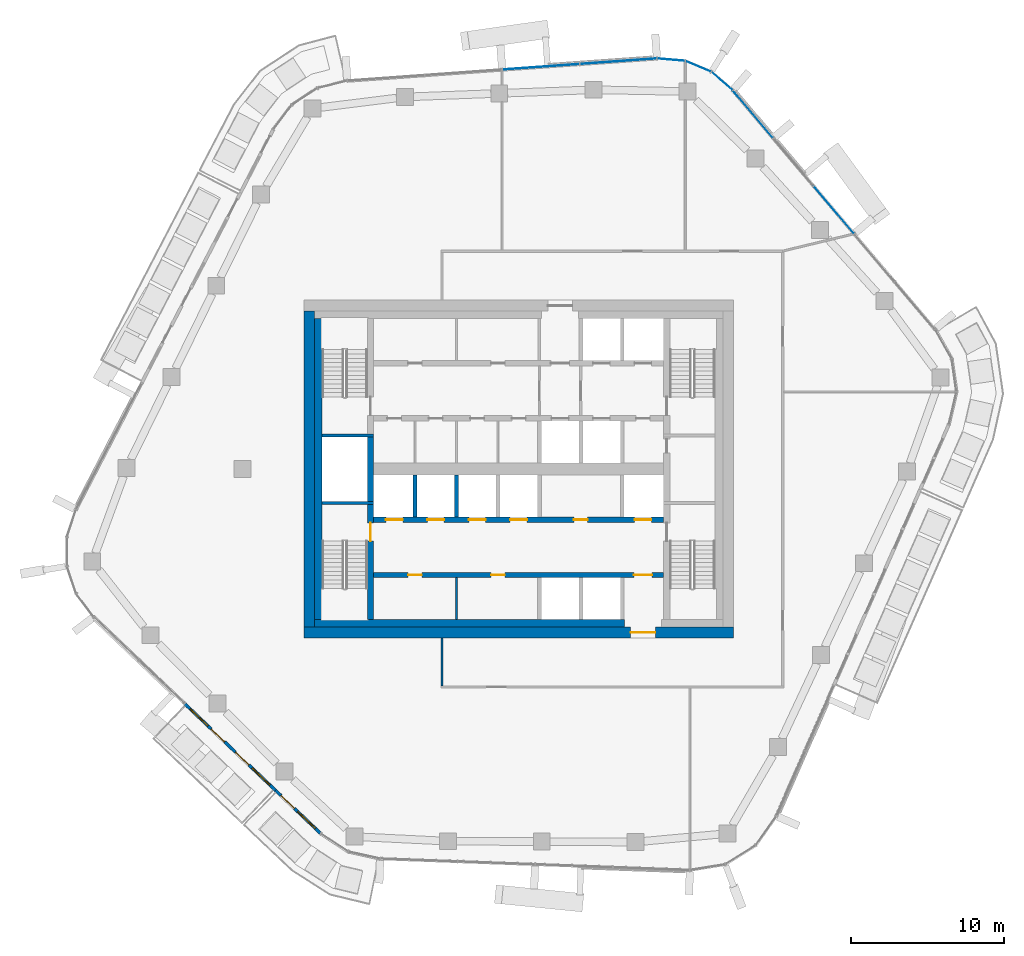
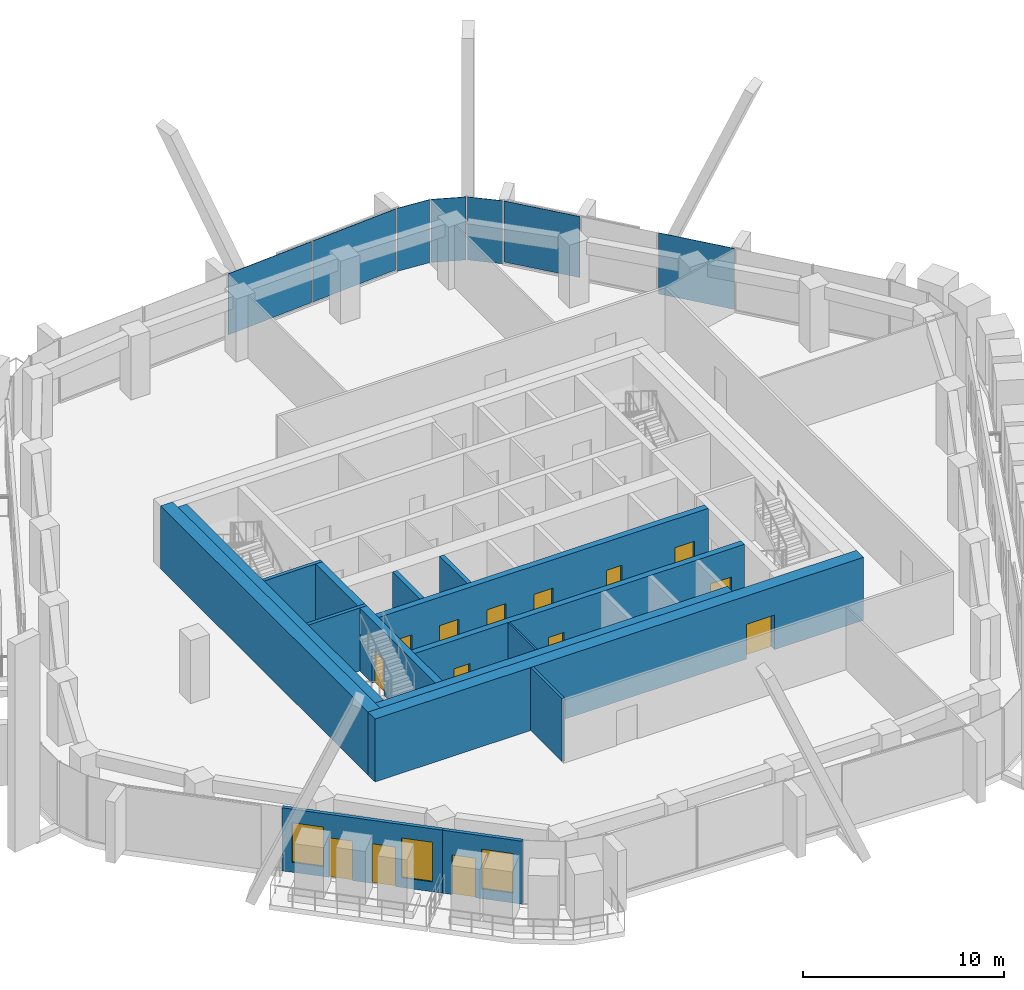
# One storey, part 10 of 20: 16 walls, 14 doors, 7 plates, 3 windows, 17 openings, 3 elements without a shape of their own.
"""IFC4 building model written with IfcOpenShell, lengths in metres."""

from ifc_helpers import new_model, si_unit, direction, frame, frame_2d, origin, origin_2d, place, context, subcontext, project, spatial, rectangle, extrude, material, layer, layer_set, type_object, element, fill, aggregate, save


model = new_model("IFC4")

# Units and contexts
model_context = context("Model", 3, precision=1e-05, world=origin(), true_north=direction((0.0, 1.0)))
body_context = subcontext(model_context, "Body", "Model", "MODEL_VIEW")
ifc_project = project(units=[si_unit("LENGTHUNIT", "METRE"), si_unit("AREAUNIT", "SQUARE_METRE"), si_unit("VOLUMEUNIT", "CUBIC_METRE"), si_unit("PLANEANGLEUNIT", "RADIAN"), si_unit("MASSUNIT", "GRAM", prefix="KILO")], contexts=[model_context])

# Site, building, storey
site_placement = place(None, origin())
site = spatial("IfcSite", under=ifc_project, at=site_placement, CompositionType="ELEMENT")
building_placement = place(site_placement, origin())
building = spatial("IfcBuilding", under=site, at=building_placement, Name="Dongbaek Canopy Tower", CompositionType="ELEMENT")
storey_placement = place(building_placement, frame((0.0, 0.0, 266.39990234375)))
storey = spatial("IfcBuildingStorey", under=building, at=storey_placement, Name="L56", CompositionType="ELEMENT", Elevation=266.39990234375)

# Curtain wall, plates
ifc_material_1 = material(Name="Aluminium 6063-T6 pale anodised", Category="aluminium")
ifc_layer_1 = layer(ifc_material_1, 0.199951171875)
ifc_layer_set_1 = layer_set([ifc_layer_1], Name="CW-1 unitised tower curtain wall")
curtain_wall_type = type_object("IfcCurtainWallType", Name="CW-1 unitised tower curtain wall", PredefinedType="NOTDEFINED", material=ifc_layer_set_1)
curtain_wall_1_placement = place(storey_placement, origin())
curtain_wall_1 = element("IfcCurtainWall", 1, at=curtain_wall_1_placement, inside=storey, type_object=curtain_wall_type, Name="CW-1 curtain wall F0.1", PredefinedType="NOTDEFINED")
ifc_material_2 = material(Name="Clear laminated glass", Category="glass")
ifc_layer_2 = layer(ifc_material_2, 0.028076171875)
ifc_layer_set_2 = layer_set([ifc_layer_2], Name="CW-1 glazed panel 28")
plate_type = type_object("IfcPlateType", Name="CW-1 glazed panel 28", PredefinedType="CURTAIN_PANEL", material=ifc_layer_set_2)
plate_1_placement = place(storey_placement, frame((20.539306640625, 16.8876953125, 0.1201171875), z_axis=(0.0, 0.0, 1.0), x_axis=(-0.646055122273, 0.763290756517, 0.0)))
plate_1 = element("IfcPlate", 2, at=plate_1_placement, type_object=plate_type, Name="CW-1 panel F0.1.3.1", PredefinedType="CURTAIN_PANEL", context=body_context, shape_type="SweptSolid", body=[
    extrude(rectangle(XDim=3.99853515625, YDim=0.028076171875, at=origin_2d()), origin(), (0.0, 0.0, 1.0), 3.699951171875),
])
plate_2_placement = place(storey_placement, frame((15.2666015625, 23.1171875, 0.1201171875), z_axis=(0.0, 0.0, 1.0), x_axis=(-0.646055122273, 0.763290756517, 0.0)))
plate_2 = element("IfcPlate", 3, at=plate_2_placement, type_object=plate_type, Name="CW-1 panel F0.1.5.1", PredefinedType="CURTAIN_PANEL", context=body_context, shape_type="SweptSolid", body=[
    extrude(rectangle(XDim=3.99072265625, YDim=0.028076171875, at=origin_2d()), origin(), (0.0, 0.0, 1.0), 3.699951171875),
])
aggregate(curtain_wall_1, [plate_1, plate_2])

curtain_wall_2_placement = place(storey_placement, origin())
curtain_wall_2 = element("IfcCurtainWall", 4, at=curtain_wall_2_placement, inside=storey, type_object=curtain_wall_type, Name="CW-1 curtain wall K1.1", PredefinedType="NOTDEFINED")
plate_3_placement = place(storey_placement, frame((13.25048828125, 25.276123046875, 0.0), z_axis=(0.0, 0.0, 1.0), x_axis=(-0.757257908115, 0.653115962595, 0.0)))
plate_3 = element("IfcPlate", 5, at=plate_3_placement, type_object=plate_type, Name="CW-1 panel K1.1.1.1", PredefinedType="CURTAIN_PANEL", context=body_context, shape_type="SweptSolid", body=[
    extrude(rectangle(XDim=1.76513671875, YDim=0.028076171875, at=origin_2d()), origin(), (0.0, 0.0, 1.0), 3.820068359375),
])
plate_4_placement = place(storey_placement, frame((11.70166015625, 26.23681640625, 0.0), z_axis=(0.0, 0.0, 1.0), x_axis=(-0.921724437887, 0.387845408122, 0.0)))
plate_4 = element("IfcPlate", 6, at=plate_4_placement, type_object=plate_type, Name="CW-1 panel K1.1.2.1", PredefinedType="CURTAIN_PANEL", context=body_context, shape_type="SweptSolid", body=[
    extrude(rectangle(XDim=1.757080078125, YDim=0.028076171875, at=origin_2d()), origin(), (0.0, 0.0, 1.0), 3.820068359375),
])
plate_5_placement = place(storey_placement, frame((9.93212890625, 26.67236328125, 0.0), z_axis=(0.0, 0.0, 1.0), x_axis=(-0.996398686908, 0.084791843518, 0.0)))
plate_5 = element("IfcPlate", 7, at=plate_5_placement, type_object=plate_type, Name="CW-1 panel K1.1.3.1", PredefinedType="CURTAIN_PANEL", context=body_context, shape_type="SweptSolid", body=[
    extrude(rectangle(XDim=1.76513671875, YDim=0.028076171875, at=origin_2d()), origin(), (0.0, 0.0, 1.0), 3.820068359375),
])
aggregate(curtain_wall_2, [plate_3, plate_4, plate_5])

curtain_wall_3_placement = place(storey_placement, origin())
curtain_wall_3 = element("IfcCurtainWall", 8, at=curtain_wall_3_placement, inside=storey, type_object=curtain_wall_type, Name="CW-1 curtain wall F1.1", PredefinedType="NOTDEFINED")
plate_6_placement = place(storey_placement, frame((6.4912109375, 26.569580078125, 0.1201171875), z_axis=(0.0, 0.0, 1.0), x_axis=(-0.997423073198, -0.07174408026, 0.0)))
plate_6 = element("IfcPlate", 9, at=plate_6_placement, type_object=plate_type, Name="CW-1 panel F1.1.1.1", PredefinedType="CURTAIN_PANEL", context=body_context, shape_type="SweptSolid", body=[
    extrude(rectangle(XDim=4.968505859375, YDim=0.028076171875, at=origin_2d()), origin(), (0.0, 0.0, 1.0), 3.699951171875),
])
plate_7_placement = place(storey_placement, frame((1.44775390625, 26.206787109375, 0.1201171875), z_axis=(0.0, 0.0, 1.0), x_axis=(-0.997423073198, -0.07174408026, 0.0)))
plate_7 = element("IfcPlate", 10, at=plate_7_placement, type_object=plate_type, Name="CW-1 panel F1.1.2.1", PredefinedType="CURTAIN_PANEL", context=body_context, shape_type="SweptSolid", body=[
    extrude(rectangle(XDim=4.976318359375, YDim=0.028076171875, at=origin_2d()), origin(), (0.0, 0.0, 1.0), 3.699951171875),
])
aggregate(curtain_wall_3, [plate_6, plate_7])

# Wall, openings, doors
ifc_material_3 = material(Name="Concrete C60/75", Category="concrete")
ifc_layer_3 = layer(ifc_material_3, 0.35009765625)
ifc_layer_set_3 = layer_set([ifc_layer_3], Name="Core lobby wall 350 Concrete C60/75")
wall_type_1 = type_object("IfcWallType", Name="Core lobby wall 350 Concrete C60/75", PredefinedType="SHEAR", material=ifc_layer_set_3)
wall_1_placement = place(storey_placement, frame((-9.449951171875, -3.300048828125, 0.0), z_axis=(0.0, 0.0, 1.0), x_axis=(1.0, 0.0, 0.0)))
wall_1 = element("IfcWall", 11, at=wall_1_placement, inside=storey, type_object=wall_type_1, Name="Core wall", PredefinedType="SHEAR", context=body_context, shape_type="SweptSolid", body=[
    extrude(rectangle(XDim=18.89990234375, YDim=0.35009765625, at=frame_2d((9.449951171875, 0.0))), origin(), (0.0, 0.0, 1.0), 3.820068359375),
])
opening_1_placement = place(wall_1_placement, frame((0.800048828125, 0.0, 0.0)))
opening_1 = element("IfcOpeningElement", 12, at=opening_1_placement, cuts=wall_1, Name="Opening L56-D014", PredefinedType="OPENING", context=body_context, shape_type="SweptSolid", body=[
    extrude(rectangle(XDim=1.10009765625, YDim=2.10009765625, at=frame_2d((0.550048828125, 1.050048828125))), frame((0.0, 0.18505859375, 0.0), z_axis=(0.0, -1.0, 0.0), x_axis=(1.0, 0.0, 0.0)), (0.0, 0.0, 1.0), 0.3701171875),
])
opening_2_placement = place(wall_1_placement, frame((3.5, 0.0, 0.0)))
opening_2 = element("IfcOpeningElement", 13, at=opening_2_placement, cuts=wall_1, Name="Opening L56-D015", PredefinedType="OPENING", context=body_context, shape_type="SweptSolid", body=[
    extrude(rectangle(XDim=1.10009765625, YDim=2.10009765625, at=frame_2d((0.550048828125, 1.050048828125))), frame((0.0, 0.18505859375, 0.0), z_axis=(0.0, -1.0, 0.0), x_axis=(1.0, 0.0, 0.0)), (0.0, 0.0, 1.0), 0.3701171875),
])
opening_3_placement = place(wall_1_placement, frame((6.199951171875, 0.0, 0.0)))
opening_3 = element("IfcOpeningElement", 14, at=opening_3_placement, cuts=wall_1, Name="Opening L56-D016", PredefinedType="OPENING", context=body_context, shape_type="SweptSolid", body=[
    extrude(rectangle(XDim=1.10009765625, YDim=2.10009765625, at=frame_2d((0.550048828125, 1.050048828125))), frame((0.0, 0.18505859375, 0.0), z_axis=(0.0, -1.0, 0.0), x_axis=(1.0, 0.0, 0.0)), (0.0, 0.0, 1.0), 0.3701171875),
])
opening_4_placement = place(wall_1_placement, frame((8.89990234375, 0.0, 0.0)))
opening_4 = element("IfcOpeningElement", 15, at=opening_4_placement, cuts=wall_1, Name="Opening L56-D017", PredefinedType="OPENING", context=body_context, shape_type="SweptSolid", body=[
    extrude(rectangle(XDim=1.10009765625, YDim=2.10009765625, at=frame_2d((0.550048828125, 1.050048828125))), frame((0.0, 0.18505859375, 0.0), z_axis=(0.0, -1.0, 0.0), x_axis=(1.0, 0.0, 0.0)), (0.0, 0.0, 1.0), 0.3701171875),
])
opening_5_placement = place(wall_1_placement, frame((17.0, 0.0, 0.0)))
opening_5 = element("IfcOpeningElement", 16, at=opening_5_placement, cuts=wall_1, Name="Opening L56-D018", PredefinedType="OPENING", context=body_context, shape_type="SweptSolid", body=[
    extrude(rectangle(XDim=1.10009765625, YDim=2.10009765625, at=frame_2d((0.550048828125, 1.050048828125))), frame((0.0, 0.18505859375, 0.0), z_axis=(0.0, -1.0, 0.0), x_axis=(1.0, 0.0, 0.0)), (0.0, 0.0, 1.0), 0.3701171875),
])
opening_6_placement = place(wall_1_placement, frame((13.050048828125, 0.0, 0.0)))
opening_6 = element("IfcOpeningElement", 17, at=opening_6_placement, cuts=wall_1, Name="Opening L56-D027", PredefinedType="OPENING", context=body_context, shape_type="SweptSolid", body=[
    extrude(rectangle(XDim=0.89990234375, YDim=2.10009765625, at=frame_2d((0.449951171875, 1.050048828125))), frame((0.0, 0.18505859375, 0.0), z_axis=(0.0, -1.0, 0.0), x_axis=(1.0, 0.0, 0.0)), (0.0, 0.0, 1.0), 0.3701171875),
])
ifc_material_4 = material(Name="Steel", Category="steel")
door_type_1 = type_object("IfcDoorType", Name="Core room door 900 x 2100", OperationType="SINGLE_SWING_LEFT", PredefinedType="DOOR", material=ifc_material_4)
door_1_placement = place(opening_6_placement, origin())
door_1 = element("IfcDoor", 18, at=door_1_placement, inside=storey, type_object=door_type_1, Name="Door L56-D027", OperationType="SINGLE_SWING_RIGHT", OverallHeight=2.10009765625, OverallWidth=0.89990234375, PredefinedType="DOOR", context=body_context, shape_type="SweptSolid", body=[
    extrude(rectangle(XDim=0.89990234375, YDim=2.10009765625, at=frame_2d((0.449951171875, 1.050048828125))), frame((0.0, 0.02490234375, 0.0), z_axis=(0.0, -1.0, 0.0), x_axis=(1.0, 0.0, 0.0)), (0.0, 0.0, 1.0), 0.050048828125),
])
fill(opening_6, door_1)
ifc_material_5 = material(Name="Stainless steel", Category="steel")
door_type_2 = type_object("IfcDoorType", Name="Lift landing door 1100 x 2100", OperationType="DOUBLE_DOOR_SLIDING", PredefinedType="DOOR", material=ifc_material_5)
door_2_placement = place(opening_1_placement, origin())
door_2 = element("IfcDoor", 19, at=door_2_placement, inside=storey, type_object=door_type_2, Name="Landing door MR1", OperationType="DOUBLE_DOOR_SLIDING", OverallHeight=2.10009765625, OverallWidth=1.10009765625, PredefinedType="DOOR", context=body_context, shape_type="SweptSolid", body=[
    extrude(rectangle(XDim=1.10009765625, YDim=2.10009765625, at=frame_2d((0.550048828125, 1.050048828125))), frame((0.0, 0.02490234375, 0.0), z_axis=(0.0, -1.0, 0.0), x_axis=(1.0, 0.0, 0.0)), (0.0, 0.0, 1.0), 0.050048828125),
])
fill(opening_1, door_2)
door_3_placement = place(opening_2_placement, origin())
door_3 = element("IfcDoor", 20, at=door_3_placement, inside=storey, type_object=door_type_2, Name="Landing door MR2", OperationType="DOUBLE_DOOR_SLIDING", OverallHeight=2.10009765625, OverallWidth=1.10009765625, PredefinedType="DOOR", context=body_context, shape_type="SweptSolid", body=[
    extrude(rectangle(XDim=1.10009765625, YDim=2.10009765625, at=frame_2d((0.550048828125, 1.050048828125))), frame((0.0, 0.02490234375, 0.0), z_axis=(0.0, -1.0, 0.0), x_axis=(1.0, 0.0, 0.0)), (0.0, 0.0, 1.0), 0.050048828125),
])
fill(opening_2, door_3)
door_4_placement = place(opening_3_placement, origin())
door_4 = element("IfcDoor", 21, at=door_4_placement, inside=storey, type_object=door_type_2, Name="Landing door MR3", OperationType="DOUBLE_DOOR_SLIDING", OverallHeight=2.10009765625, OverallWidth=1.10009765625, PredefinedType="DOOR", context=body_context, shape_type="SweptSolid", body=[
    extrude(rectangle(XDim=1.10009765625, YDim=2.10009765625, at=frame_2d((0.550048828125, 1.050048828125))), frame((0.0, 0.02490234375, 0.0), z_axis=(0.0, -1.0, 0.0), x_axis=(1.0, 0.0, 0.0)), (0.0, 0.0, 1.0), 0.050048828125),
])
fill(opening_3, door_4)
door_5_placement = place(opening_4_placement, origin())
door_5 = element("IfcDoor", 22, at=door_5_placement, inside=storey, type_object=door_type_2, Name="Landing door MR4", OperationType="DOUBLE_DOOR_SLIDING", OverallHeight=2.10009765625, OverallWidth=1.10009765625, PredefinedType="DOOR", context=body_context, shape_type="SweptSolid", body=[
    extrude(rectangle(XDim=1.10009765625, YDim=2.10009765625, at=frame_2d((0.550048828125, 1.050048828125))), frame((0.0, 0.02490234375, 0.0), z_axis=(0.0, -1.0, 0.0), x_axis=(1.0, 0.0, 0.0)), (0.0, 0.0, 1.0), 0.050048828125),
])
fill(opening_4, door_5)
door_6_placement = place(opening_5_placement, origin())
door_6 = element("IfcDoor", 23, at=door_6_placement, inside=storey, type_object=door_type_2, Name="Landing door SV2", OperationType="DOUBLE_DOOR_SLIDING", OverallHeight=2.10009765625, OverallWidth=1.10009765625, PredefinedType="DOOR", context=body_context, shape_type="SweptSolid", body=[
    extrude(rectangle(XDim=1.10009765625, YDim=2.10009765625, at=frame_2d((0.550048828125, 1.050048828125))), frame((0.0, 0.02490234375, 0.0), z_axis=(0.0, -1.0, 0.0), x_axis=(1.0, 0.0, 0.0)), (0.0, 0.0, 1.0), 0.050048828125),
])
fill(opening_5, door_6)

wall_2_placement = place(storey_placement, frame((9.449951171875, -6.89990234375, 0.0), z_axis=(0.0, 0.0, 1.0), x_axis=(-1.0, 0.0, 0.0)))
wall_2 = element("IfcWall", 24, at=wall_2_placement, inside=storey, type_object=wall_type_1, Name="Core wall", PredefinedType="SHEAR", context=body_context, shape_type="SweptSolid", body=[
    extrude(rectangle(XDim=18.89990234375, YDim=0.35009765625, at=frame_2d((9.449951171875, 0.0))), origin(), (0.0, 0.0, 1.0), 3.820068359375),
])
opening_7_placement = place(wall_2_placement, frame((0.75, 0.0, 0.0)))
opening_7 = element("IfcOpeningElement", 25, at=opening_7_placement, cuts=wall_2, Name="Opening L56-D020", PredefinedType="OPENING", context=body_context, shape_type="SweptSolid", body=[
    extrude(rectangle(XDim=1.199951171875, YDim=2.10009765625, at=frame_2d((0.60009765625, 1.050048828125))), frame((0.0, 0.18505859375, 0.0), z_axis=(0.0, -1.0, 0.0), x_axis=(1.0, 0.0, 0.0)), (0.0, 0.0, 1.0), 0.3701171875),
])
opening_8_placement = place(wall_2_placement, frame((15.75, 0.0, 0.0)))
opening_8 = element("IfcOpeningElement", 26, at=opening_8_placement, cuts=wall_2, Name="Opening L56-D028", PredefinedType="OPENING", context=body_context, shape_type="SweptSolid", body=[
    extrude(rectangle(XDim=0.89990234375, YDim=2.10009765625, at=frame_2d((0.449951171875, 1.050048828125))), frame((0.0, 0.18505859375, 0.0), z_axis=(0.0, -1.0, 0.0), x_axis=(1.0, 0.0, 0.0)), (0.0, 0.0, 1.0), 0.3701171875),
])
opening_9_placement = place(wall_2_placement, frame((10.35009765625, 0.0, 0.0)))
opening_9 = element("IfcOpeningElement", 27, at=opening_9_placement, cuts=wall_2, Name="Opening L56-D029", PredefinedType="OPENING", context=body_context, shape_type="SweptSolid", body=[
    extrude(rectangle(XDim=0.89990234375, YDim=2.10009765625, at=frame_2d((0.449951171875, 1.050048828125))), frame((0.0, 0.18505859375, 0.0), z_axis=(0.0, -1.0, 0.0), x_axis=(1.0, 0.0, 0.0)), (0.0, 0.0, 1.0), 0.3701171875),
])
door_7_placement = place(opening_8_placement, origin())
door_7 = element("IfcDoor", 28, at=door_7_placement, inside=storey, type_object=door_type_1, Name="Door L56-D028", OperationType="SINGLE_SWING_LEFT", OverallHeight=2.10009765625, OverallWidth=0.89990234375, PredefinedType="DOOR", context=body_context, shape_type="SweptSolid", body=[
    extrude(rectangle(XDim=0.89990234375, YDim=2.10009765625, at=frame_2d((0.449951171875, 1.050048828125))), frame((0.0, 0.02490234375, 0.0), z_axis=(0.0, -1.0, 0.0), x_axis=(1.0, 0.0, 0.0)), (0.0, 0.0, 1.0), 0.050048828125),
])
fill(opening_8, door_7)
door_8_placement = place(opening_9_placement, origin())
door_8 = element("IfcDoor", 29, at=door_8_placement, inside=storey, type_object=door_type_1, Name="Door L56-D029", OperationType="SINGLE_SWING_RIGHT", OverallHeight=2.10009765625, OverallWidth=0.89990234375, PredefinedType="DOOR", context=body_context, shape_type="SweptSolid", body=[
    extrude(rectangle(XDim=0.89990234375, YDim=2.10009765625, at=frame_2d((0.449951171875, 1.050048828125))), frame((0.0, 0.02490234375, 0.0), z_axis=(0.0, -1.0, 0.0), x_axis=(1.0, 0.0, 0.0)), (0.0, 0.0, 1.0), 0.050048828125),
])
fill(opening_9, door_8)
ifc_material_6 = material(Name="Steel", Category="steel")
door_type_3 = type_object("IfcDoorType", Name="Fire lobby door 1200 x 2100", OperationType="SINGLE_SWING_LEFT", PredefinedType="DOOR", material=ifc_material_6)
door_9_placement = place(opening_7_placement, origin())
door_9 = element("IfcDoor", 30, at=door_9_placement, inside=storey, type_object=door_type_3, Name="Door L56-D020", OperationType="SINGLE_SWING_LEFT", OverallHeight=2.10009765625, OverallWidth=1.199951171875, PredefinedType="DOOR", context=body_context, shape_type="SweptSolid", body=[
    extrude(rectangle(XDim=1.199951171875, YDim=2.10009765625, at=frame_2d((0.60009765625, 1.050048828125))), frame((0.0, 0.02490234375, 0.0), z_axis=(0.0, -1.0, 0.0), x_axis=(1.0, 0.0, 0.0)), (0.0, 0.0, 1.0), 0.050048828125),
])
fill(opening_7, door_9)

# Wall, opening, door
ifc_material_7 = material(Name="Concrete C70/85", Category="concrete")
ifc_layer_4 = layer(ifc_material_7, 0.699951171875)
ifc_layer_set_4 = layer_set([ifc_layer_4], Name="Core outer wall 700 Concrete C70/85")
wall_type_2 = type_object("IfcWallType", Name="Core outer wall 700 Concrete C70/85", PredefinedType="SHEAR", material=ifc_layer_set_4)
wall_3_placement = place(storey_placement, frame((14.0, -10.64990234375, 0.0), z_axis=(0.0, 0.0, 1.0), x_axis=(-1.0, 0.0, 0.0)))
wall_3 = element("IfcWall", 31, at=wall_3_placement, inside=storey, type_object=wall_type_2, Name="Core wall", PredefinedType="SHEAR", context=body_context, shape_type="SweptSolid", body=[
    extrude(rectangle(XDim=28.0, YDim=0.699951171875, at=frame_2d((14.0, 0.0))), origin(), (0.0, 0.0, 1.0), 3.820068359375),
])
opening_10_placement = place(wall_3_placement, frame((5.10009765625, 0.0, 0.0)))
opening_10 = element("IfcOpeningElement", 32, at=opening_10_placement, cuts=wall_3, Name="Opening L56-D019", PredefinedType="OPENING", context=body_context, shape_type="SweptSolid", body=[
    extrude(rectangle(XDim=1.60009765625, YDim=2.10009765625, at=frame_2d((0.800048828125, 1.050048828125))), frame((0.0, 0.35986328125, 0.0), z_axis=(0.0, -1.0, 0.0), x_axis=(1.0, 0.0, 0.0)), (0.0, 0.0, 1.0), 0.719970703125),
])
ifc_material_8 = material(Name="Steel", Category="steel")
door_type_4 = type_object("IfcDoorType", Name="Core exit door 1600 x 2100", OperationType="DOUBLE_DOOR_SINGLE_SWING", PredefinedType="DOOR", material=ifc_material_8)
door_10_placement = place(opening_10_placement, origin())
door_10 = element("IfcDoor", 33, at=door_10_placement, inside=storey, type_object=door_type_4, Name="Core exit door", OperationType="DOUBLE_DOOR_SINGLE_SWING", OverallHeight=2.10009765625, OverallWidth=1.60009765625, PredefinedType="DOOR", context=body_context, shape_type="SweptSolid", body=[
    extrude(rectangle(XDim=1.60009765625, YDim=2.10009765625, at=frame_2d((0.800048828125, 1.050048828125))), frame((0.0, 0.02490234375, 0.0), z_axis=(0.0, -1.0, 0.0), x_axis=(1.0, 0.0, 0.0)), (0.0, 0.0, 1.0), 0.050048828125),
])
fill(opening_10, door_10)

# Walls
wall_4_placement = place(storey_placement, frame((-13.64990234375, -10.300048828125, 0.0), z_axis=(0.0, 0.0, 1.0), x_axis=(0.0, 1.0, 0.0)))
element("IfcWall", 34, at=wall_4_placement, inside=storey, type_object=wall_type_2, Name="Core wall", PredefinedType="SHEAR", context=body_context, shape_type="SweptSolid", body=[
    extrude(rectangle(XDim=20.60009765625, YDim=0.699951171875, at=frame_2d((10.300048828125, 0.0))), origin(), (0.0, 0.0, 1.0), 3.820068359375),
])
ifc_material_9 = material(Name="Concrete C60/75", Category="concrete")
ifc_layer_5 = layer(ifc_material_9, 0.5)
ifc_layer_set_5 = layer_set([ifc_layer_5], Name="Core wall lining 500 Concrete C60/75")
wall_type_3 = type_object("IfcWallType", Name="Core wall lining 500 Concrete C60/75", PredefinedType="SHEAR", material=ifc_layer_set_5)
wall_5_placement = place(storey_placement, frame((6.89990234375, -10.050048828125, 0.0), z_axis=(0.0, 0.0, 1.0), x_axis=(-1.0, 0.0, 0.0)))
element("IfcWall", 35, at=wall_5_placement, inside=storey, type_object=wall_type_3, Name="Core wall lining", PredefinedType="SHEAR", context=body_context, shape_type="SweptSolid", body=[
    extrude(rectangle(XDim=20.199951171875, YDim=0.5, at=frame_2d((10.10009765625, 0.0))), origin(), (0.0, 0.0, 1.0), 3.820068359375),
])
wall_6_placement = place(storey_placement, frame((-13.050048828125, -9.800048828125, 0.0), z_axis=(0.0, 0.0, 1.0), x_axis=(0.0, 1.0, 0.0)))
element("IfcWall", 36, at=wall_6_placement, inside=storey, type_object=wall_type_3, Name="Core wall lining", PredefinedType="SHEAR", context=body_context, shape_type="SweptSolid", body=[
    extrude(rectangle(XDim=19.60009765625, YDim=0.5, at=frame_2d((9.800048828125, 0.0))), origin(), (0.0, 0.0, 1.0), 3.820068359375),
])
ifc_material_10 = material(Name="Gypsum board partition, steel stud, 2 x 15 mm fire board", Category="steel")
ifc_layer_6 = layer(ifc_material_10, 0.14990234375)
ifc_layer_set_6 = layer_set([ifc_layer_6], Name="Fire-rated partition 150 gypsum board")
wall_type_4 = type_object("IfcWallType", Name="Fire-rated partition 150 gypsum board", PredefinedType="PARTITIONING", material=ifc_layer_set_6)
wall_7_placement = place(storey_placement, frame((-5.0, -14.125, 0.0), z_axis=(0.0, 0.0, 1.0), x_axis=(0.0, 1.0, 0.0)))
element("IfcWall", 37, at=wall_7_placement, inside=storey, type_object=wall_type_4, Name="Corridor partition", PredefinedType="PARTITIONING", context=body_context, shape_type="SweptSolid", body=[
    extrude(rectangle(XDim=3.125, YDim=0.14990234375, at=frame_2d((1.5625, 0.0))), origin(), (0.0, 0.0, 1.0), 3.820068359375),
])
ifc_material_11 = material(Name="Concrete C40/50", Category="concrete")
ifc_layer_7 = layer(ifc_material_11, 0.25)
ifc_layer_set_7 = layer_set([ifc_layer_7], Name="Lift shaft wall 250 Concrete C40/50")
wall_type_5 = type_object("IfcWallType", Name="Lift shaft wall 250 Concrete C40/50", PredefinedType="SOLIDWALL", material=ifc_layer_set_7)
for number, where, z_axis, x_axis, name in (
    (38, (-4.050048828125, -3.125, 0.0), (0.0, 0.0, 1.0), (0.0, 1.0, 0.0), "Lift shaft wall"),
    (39, (-6.75, -3.125, 0.0), (0.0, 0.0, 1.0), (0.0, 1.0, 0.0), "Lift shaft wall"),
):
    element("IfcWall", number, at=place(storey_placement, frame(where, z_axis=z_axis, x_axis=x_axis)), inside=storey, type_object=wall_type_5, Name=name, PredefinedType="SOLIDWALL", context=body_context, shape_type="SweptSolid", body=[
        extrude(rectangle(XDim=2.72509765625, YDim=0.25, at=frame_2d((1.362548828125, 0.0))), origin(), (0.0, 0.0, 1.0), 3.820068359375),
    ])
ifc_material_12 = material(Name="Gypsum board partition, steel stud, 2 x 12.5 mm board", Category="steel")
ifc_layer_8 = layer(ifc_material_12, 0.10009765625)
ifc_layer_set_8 = layer_set([ifc_layer_8], Name="Partition 100 gypsum board")
wall_type_6 = type_object("IfcWallType", Name="Partition 100 gypsum board", PredefinedType="PARTITIONING", material=ifc_layer_set_8)
wall_8_placement = place(storey_placement, frame((-4.050048828125, -9.800048828125, 0.0), z_axis=(0.0, 0.0, 1.0), x_axis=(0.0, 1.0, 0.0)))
element("IfcWall", 40, at=wall_8_placement, inside=storey, type_object=wall_type_6, Name="Core partition", PredefinedType="PARTITIONING", context=body_context, shape_type="SweptSolid", body=[
    extrude(rectangle(XDim=2.72509765625, YDim=0.10009765625, at=frame_2d((1.362548828125, 0.0))), origin(), (0.0, 0.0, 1.0), 3.820068359375),
])
ifc_material_13 = material(Name="Concrete C60/75", Category="concrete")
ifc_layer_9 = layer(ifc_material_13, 0.199951171875)
ifc_layer_set_9 = layer_set([ifc_layer_9], Name="Riser wall 200 Concrete C60/75")
wall_type_7 = type_object("IfcWallType", Name="Riser wall 200 Concrete C60/75", PredefinedType="SHEAR", material=ifc_layer_set_9)
for number, where, z_axis, x_axis, name in (
    (41, (-9.449951171875, 2.199951171875, 0.0), (0.0, 0.0, 1.0), (-1.0, 0.0, 0.0), "Riser wall"),
    (42, (-9.449951171875, -2.199951171875, 0.0), (0.0, 0.0, 1.0), (-1.0, 0.0, 0.0), "Riser wall"),
):
    element("IfcWall", number, at=place(storey_placement, frame(where, z_axis=z_axis, x_axis=x_axis)), inside=storey, type_object=wall_type_7, Name=name, PredefinedType="SHEAR", context=body_context, shape_type="SweptSolid", body=[
        extrude(rectangle(XDim=3.35009765625, YDim=0.199951171875, at=frame_2d((1.675048828125, 0.0))), origin(), (0.0, 0.0, 1.0), 3.820068359375),
    ])

# Wall, opening, door
ifc_material_14 = material(Name="Concrete C60/75", Category="concrete")
ifc_layer_10 = layer(ifc_material_14, 0.39990234375)
ifc_layer_set_10 = layer_set([ifc_layer_10], Name="Stair wall 400 Concrete C60/75")
wall_type_8 = type_object("IfcWallType", Name="Stair wall 400 Concrete C60/75", PredefinedType="SHEAR", material=ifc_layer_set_10)
wall_9_placement = place(storey_placement, frame((-9.64990234375, -9.800048828125, 0.0), z_axis=(0.0, 0.0, 1.0), x_axis=(0.0, 1.0, 0.0)))
wall_9 = element("IfcWall", 43, at=wall_9_placement, inside=storey, type_object=wall_type_8, Name="Stair wall", PredefinedType="SHEAR", context=body_context, shape_type="SweptSolid", body=[
    extrude(rectangle(XDim=7.5, YDim=0.39990234375, at=frame_2d((3.75, 0.0))), origin(), (0.0, 0.0, 1.0), 3.820068359375),
])
opening_11_placement = place(wall_9_placement, frame((5.10009765625, 0.0, 0.0)))
opening_11 = element("IfcOpeningElement", 44, at=opening_11_placement, cuts=wall_9, Name="Opening L56-D033", PredefinedType="OPENING", context=body_context, shape_type="SweptSolid", body=[
    extrude(rectangle(XDim=1.199951171875, YDim=2.10009765625, at=frame_2d((0.60009765625, 1.050048828125))), frame((0.0, 0.2099609375, 0.0), z_axis=(0.0, -1.0, 0.0), x_axis=(1.0, 0.0, 0.0)), (0.0, 0.0, 1.0), 0.419921875),
])
ifc_material_15 = material(Name="Steel", Category="steel")
door_type_5 = type_object("IfcDoorType", Name="Stair door 1200 x 2100", OperationType="SINGLE_SWING_LEFT", PredefinedType="DOOR", material=ifc_material_15)
door_11_placement = place(opening_11_placement, origin())
door_11 = element("IfcDoor", 45, at=door_11_placement, inside=storey, type_object=door_type_5, Name="Stair D door", OperationType="SINGLE_SWING_LEFT", OverallHeight=2.10009765625, OverallWidth=1.199951171875, PredefinedType="DOOR", context=body_context, shape_type="SweptSolid", body=[
    extrude(rectangle(XDim=1.199951171875, YDim=2.10009765625, at=frame_2d((0.60009765625, 1.050048828125))), frame((0.0, 0.02490234375, 0.0), z_axis=(0.0, -1.0, 0.0), x_axis=(1.0, 0.0, 0.0)), (0.0, 0.0, 1.0), 0.050048828125),
])
fill(opening_11, door_11)

# Wall
wall_10_placement = place(storey_placement, frame((-9.64990234375, -2.10009765625, 0.0), z_axis=(0.0, 0.0, 1.0), x_axis=(0.0, 1.0, 0.0)))
element("IfcWall", 46, at=wall_10_placement, inside=storey, type_object=wall_type_8, Name="Stair wall", PredefinedType="SHEAR", context=body_context, shape_type="SweptSolid", body=[
    extrude(rectangle(XDim=4.2001953125, YDim=0.39990234375, at=frame_2d((2.10009765625, 0.0))), origin(), (0.0, 0.0, 1.0), 3.820068359375),
])

# Wall, openings, doors, windows
ifc_material_16 = material(Name="Aluminium window wall", Category="aluminium")
ifc_layer_11 = layer(ifc_material_16, 0.199951171875)
ifc_layer_set_11 = layer_set([ifc_layer_11], Name="Window wall 200")
wall_type_9 = type_object("IfcWallType", Name="Window wall 200", PredefinedType="SOLIDWALL", material=ifc_layer_set_11)
wall_11_placement = place(storey_placement, frame((-21.767333984375, -15.2802734375, 0.0), z_axis=(0.0, 0.0, 1.0), x_axis=(0.723352158006, -0.690479294048, 0.0)))
wall_11 = element("IfcWall", 47, at=wall_11_placement, inside=storey, type_object=wall_type_9, Name="Window wall L56 2", PredefinedType="SOLIDWALL", context=body_context, shape_type="SweptSolid", body=[
    extrude(rectangle(XDim=8.184326171875, YDim=0.199951171875, at=frame_2d((4.09228515625, 0.0))), origin(), (0.0, 0.0, 1.0), 3.820068359375),
])
opening_12_placement = place(wall_11_placement, frame((0.5, 0.0, 0.60009765625)))
opening_12 = element("IfcOpeningElement", 48, at=opening_12_placement, cuts=wall_11, Name="Opening W1", PredefinedType="OPENING", context=body_context, shape_type="SweptSolid", body=[
    extrude(rectangle(XDim=1.60009765625, YDim=2.39990234375, at=frame_2d((0.800048828125, 1.199951171875))), frame((0.0, 0.10986328125, 0.0), z_axis=(0.0, -1.0, 0.0), x_axis=(1.0, 0.0, 0.0)), (0.0, 0.0, 1.0), 0.219970703125),
])
opening_13_placement = place(wall_11_placement, frame((2.39990234375, 0.0, 0.0)))
opening_13 = element("IfcOpeningElement", 49, at=opening_13_placement, cuts=wall_11, Name="Opening L56-B05", PredefinedType="OPENING", context=body_context, shape_type="SweptSolid", body=[
    extrude(rectangle(XDim=1.199951171875, YDim=2.39990234375, at=frame_2d((0.60009765625, 1.199951171875))), frame((0.0, 0.10986328125, 0.0), z_axis=(0.0, -1.0, 0.0), x_axis=(1.0, 0.0, 0.0)), (0.0, 0.0, 1.0), 0.219970703125),
])
opening_14_placement = place(wall_11_placement, frame((6.09228515625, 0.0, 0.60009765625)))
opening_14 = element("IfcOpeningElement", 50, at=opening_14_placement, cuts=wall_11, Name="Opening W1", PredefinedType="OPENING", context=body_context, shape_type="SweptSolid", body=[
    extrude(rectangle(XDim=1.60009765625, YDim=2.39990234375, at=frame_2d((0.800048828125, 1.199951171875))), frame((0.0, 0.10986328125, 0.0), z_axis=(0.0, -1.0, 0.0), x_axis=(1.0, 0.0, 0.0)), (0.0, 0.0, 1.0), 0.219970703125),
])
opening_15_placement = place(wall_11_placement, frame((4.59228515625, 0.0, 0.0)))
opening_15 = element("IfcOpeningElement", 51, at=opening_15_placement, cuts=wall_11, Name="Opening L56-B06", PredefinedType="OPENING", context=body_context, shape_type="SweptSolid", body=[
    extrude(rectangle(XDim=1.199951171875, YDim=2.39990234375, at=frame_2d((0.60009765625, 1.199951171875))), frame((0.0, 0.10986328125, 0.0), z_axis=(0.0, -1.0, 0.0), x_axis=(1.0, 0.0, 0.0)), (0.0, 0.0, 1.0), 0.219970703125),
])
ifc_material_17 = material(Name="Clear glazing in aluminium frame", Category="aluminium")
door_type_6 = type_object("IfcDoorType", Name="Balcony door BD1 1200 x 2400", OperationType="SLIDING_TO_LEFT", PredefinedType="DOOR", material=ifc_material_17)
door_12_placement = place(opening_13_placement, origin())
door_12 = element("IfcDoor", 52, at=door_12_placement, inside=storey, type_object=door_type_6, Name="Balcony door L56-B05", OperationType="SLIDING_TO_LEFT", OverallHeight=2.39990234375, OverallWidth=1.199951171875, PredefinedType="DOOR", context=body_context, shape_type="SweptSolid", body=[
    extrude(rectangle(XDim=1.199951171875, YDim=2.39990234375, at=frame_2d((0.60009765625, 1.199951171875))), frame((0.0, 0.02490234375, 0.0), z_axis=(0.0, -1.0, 0.0), x_axis=(1.0, 0.0, 0.0)), (0.0, 0.0, 1.0), 0.050048828125),
])
fill(opening_13, door_12)
door_13_placement = place(opening_15_placement, origin())
door_13 = element("IfcDoor", 53, at=door_13_placement, inside=storey, type_object=door_type_6, Name="Balcony door L56-B06", OperationType="SLIDING_TO_LEFT", OverallHeight=2.39990234375, OverallWidth=1.199951171875, PredefinedType="DOOR", context=body_context, shape_type="SweptSolid", body=[
    extrude(rectangle(XDim=1.199951171875, YDim=2.39990234375, at=frame_2d((0.60009765625, 1.199951171875))), frame((0.0, 0.02490234375, 0.0), z_axis=(0.0, -1.0, 0.0), x_axis=(1.0, 0.0, 0.0)), (0.0, 0.0, 1.0), 0.050048828125),
])
fill(opening_15, door_13)
ifc_material_18 = material(Name="Clear glazing in aluminium frame", Category="aluminium")
window_type = type_object("IfcWindowType", Name="Window W1 1600 x 2400", PartitioningType="SINGLE_PANEL", PredefinedType="WINDOW", material=ifc_material_18)
window_1_placement = place(opening_12_placement, origin())
window_1 = element("IfcWindow", 54, at=window_1_placement, inside=storey, type_object=window_type, Name="Window L56 2.1", OverallHeight=2.39990234375, OverallWidth=1.60009765625, PartitioningType="SINGLE_PANEL", PredefinedType="WINDOW", context=body_context, shape_type="SweptSolid", body=[
    extrude(rectangle(XDim=1.60009765625, YDim=2.39990234375, at=frame_2d((0.800048828125, 1.199951171875))), frame((0.0, 0.030029296875, 0.0), z_axis=(0.0, -1.0, 0.0), x_axis=(1.0, 0.0, 0.0)), (0.0, 0.0, 1.0), 0.06005859375),
])
fill(opening_12, window_1)
window_2_placement = place(opening_14_placement, origin())
window_2 = element("IfcWindow", 55, at=window_2_placement, inside=storey, type_object=window_type, Name="Window L56 2.2", OverallHeight=2.39990234375, OverallWidth=1.60009765625, PartitioningType="SINGLE_PANEL", PredefinedType="WINDOW", context=body_context, shape_type="SweptSolid", body=[
    extrude(rectangle(XDim=1.60009765625, YDim=2.39990234375, at=frame_2d((0.800048828125, 1.199951171875))), frame((0.0, 0.030029296875, 0.0), z_axis=(0.0, -1.0, 0.0), x_axis=(1.0, 0.0, 0.0)), (0.0, 0.0, 1.0), 0.06005859375),
])
fill(opening_14, window_2)

# Wall, openings, door, window
wall_12_placement = place(storey_placement, frame((-15.84716796875, -20.931396484375, 0.0), z_axis=(0.0, 0.0, 1.0), x_axis=(0.723358258998, -0.690472902538, 0.0)))
wall_12 = element("IfcWall", 56, at=wall_12_placement, inside=storey, type_object=wall_type_9, Name="Window wall L56 6", PredefinedType="SOLIDWALL", context=body_context, shape_type="SweptSolid", body=[
    extrude(rectangle(XDim=4.083251953125, YDim=0.199951171875, at=frame_2d((2.04150390625, 0.0))), origin(), (0.0, 0.0, 1.0), 3.820068359375),
])
opening_16_placement = place(wall_12_placement, frame((2.0, 0.0, 0.60009765625)))
opening_16 = element("IfcOpeningElement", 57, at=opening_16_placement, cuts=wall_12, Name="Opening W1", PredefinedType="OPENING", context=body_context, shape_type="SweptSolid", body=[
    extrude(rectangle(XDim=1.60009765625, YDim=2.39990234375, at=frame_2d((0.800048828125, 1.199951171875))), frame((0.0, 0.10986328125, 0.0), z_axis=(0.0, -1.0, 0.0), x_axis=(1.0, 0.0, 0.0)), (0.0, 0.0, 1.0), 0.219970703125),
])
opening_17_placement = place(wall_12_placement, frame((0.5, 0.0, 0.0)))
opening_17 = element("IfcOpeningElement", 58, at=opening_17_placement, cuts=wall_12, Name="Opening L56-B07", PredefinedType="OPENING", context=body_context, shape_type="SweptSolid", body=[
    extrude(rectangle(XDim=1.199951171875, YDim=2.39990234375, at=frame_2d((0.60009765625, 1.199951171875))), frame((0.0, 0.10986328125, 0.0), z_axis=(0.0, -1.0, 0.0), x_axis=(1.0, 0.0, 0.0)), (0.0, 0.0, 1.0), 0.219970703125),
])
door_14_placement = place(opening_17_placement, origin())
door_14 = element("IfcDoor", 59, at=door_14_placement, inside=storey, type_object=door_type_6, Name="Balcony door L56-B07", OperationType="SLIDING_TO_LEFT", OverallHeight=2.39990234375, OverallWidth=1.199951171875, PredefinedType="DOOR", context=body_context, shape_type="SweptSolid", body=[
    extrude(rectangle(XDim=1.199951171875, YDim=2.39990234375, at=frame_2d((0.60009765625, 1.199951171875))), frame((0.0, 0.02490234375, 0.0), z_axis=(0.0, -1.0, 0.0), x_axis=(1.0, 0.0, 0.0)), (0.0, 0.0, 1.0), 0.050048828125),
])
fill(opening_17, door_14)
window_3_placement = place(opening_16_placement, origin())
window_3 = element("IfcWindow", 60, at=window_3_placement, inside=storey, type_object=window_type, Name="Window L56 6.1", OverallHeight=2.39990234375, OverallWidth=1.60009765625, PartitioningType="SINGLE_PANEL", PredefinedType="WINDOW", context=body_context, shape_type="SweptSolid", body=[
    extrude(rectangle(XDim=1.60009765625, YDim=2.39990234375, at=frame_2d((0.800048828125, 1.199951171875))), frame((0.0, 0.030029296875, 0.0), z_axis=(0.0, -1.0, 0.0), x_axis=(1.0, 0.0, 0.0)), (0.0, 0.0, 1.0), 0.06005859375),
])
fill(opening_16, window_3)

save(model, "model.ifc")
